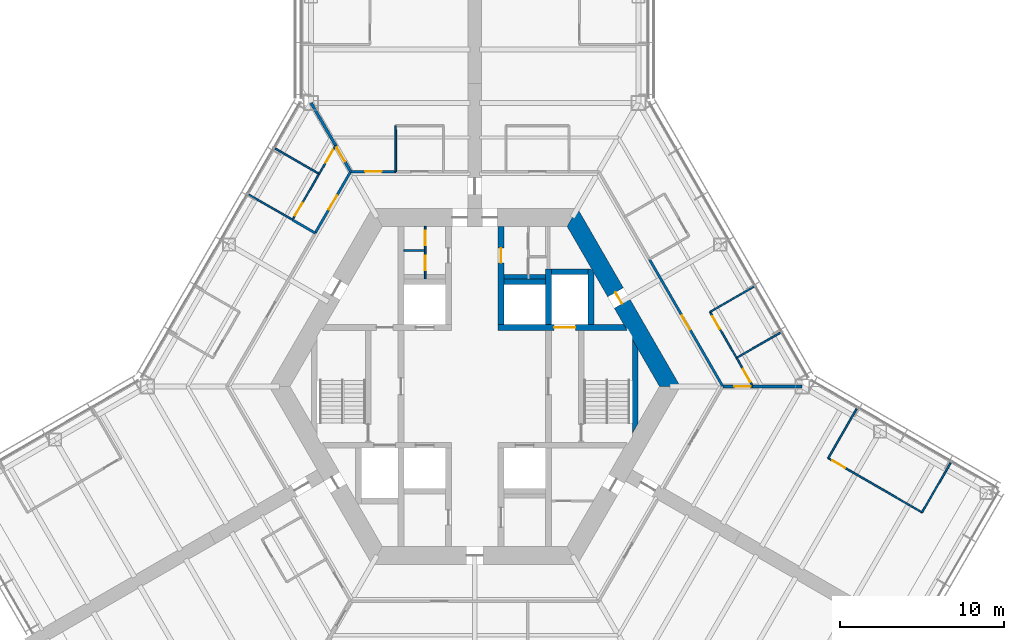
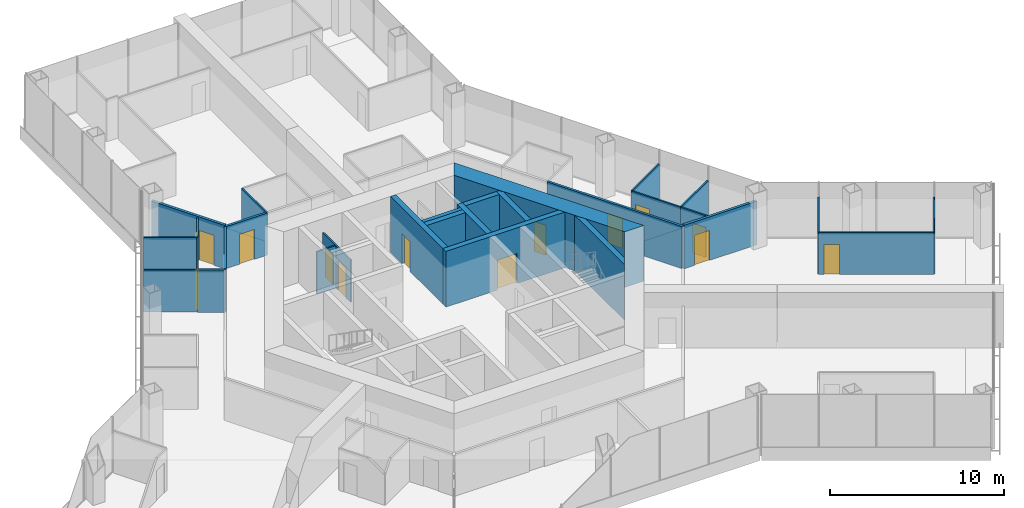
# One storey, part 14 of 18: 29 walls, 15 doors, 15 openings.
"""IFC4 building model written with IfcOpenShell, lengths in metres."""

from ifc_helpers import new_model, si_unit, direction, frame, frame_2d, origin, place, context, subcontext, project, spatial, polyline, rectangle, outline, extrude, material, layer, layer_set, type_object, element, fill, save


model = new_model("IFC4")

# Units and contexts
model_context = context("Model", 3, precision=1e-05, world=origin(), true_north=direction((0.0, 1.0)))
body_context = subcontext(model_context, "Body", "Model", "MODEL_VIEW")
ifc_project = project(units=[si_unit("LENGTHUNIT", "METRE"), si_unit("AREAUNIT", "SQUARE_METRE"), si_unit("VOLUMEUNIT", "CUBIC_METRE"), si_unit("PLANEANGLEUNIT", "RADIAN"), si_unit("MASSUNIT", "GRAM", prefix="KILO")], contexts=[model_context])

# Site, building, storey
site_placement = place(None, origin())
site = spatial("IfcSite", under=ifc_project, at=site_placement, CompositionType="ELEMENT")
building_placement = place(site_placement, origin())
building = spatial("IfcBuilding", under=site, at=building_placement, Name="Kasaneha Research Tower", CompositionType="ELEMENT")
storey_placement = place(building_placement, frame((0.0, 0.0, 65.10009765625)))
storey = spatial("IfcBuildingStorey", under=building, at=storey_placement, Name="L16", CompositionType="ELEMENT", Elevation=65.10009765625)

# Wall, opening, door
ifc_material_1 = material(Name="Concrete Fc80", Category="concrete")
ifc_layer_1 = layer(ifc_material_1, 0.35009765625)
ifc_layer_set_1 = layer_set([ifc_layer_1], Name="Core internal wall 350 Fc80")
wall_type_1 = type_object("IfcWallType", Name="Core internal wall 350 Fc80", PredefinedType="SHEAR", material=ifc_layer_set_1)
wall_1_placement = place(storey_placement, frame((1.425048828125, 3.60009765625, 0.0), z_axis=(0.0, 0.0, 1.0), x_axis=(1.0, 0.0, 0.0)))
wall_1 = element("IfcWall", 1, at=wall_1_placement, inside=storey, type_object=wall_type_1, Name="Core wall W1E L16", PredefinedType="SHEAR", context=body_context, shape_type="SweptSolid", body=[
    extrude(outline(polyline([(0.0, -0.175048828125), (3.425048828125, -0.175048828125), (4.72509765625, -0.175048828125), (7.884765625, -0.175048828125), (7.6826171875, 0.175048828125), (4.72509765625, 0.175048828125), (3.425048828125, 0.175048828125), (0.0, 0.175048828125), (0.0, -0.175048828125)])), origin(), (0.0, 0.0, 1.0), 3.89990234375),
])
opening_1_placement = place(wall_1_placement, frame((3.425048828125, 0.0, 0.0)))
opening_1 = element("IfcOpeningElement", 2, at=opening_1_placement, cuts=wall_1, Name="Opening LD-FL1-L16", PredefinedType="OPENING", context=body_context, shape_type="SweptSolid", body=[
    extrude(rectangle(XDim=1.300048828125, YDim=2.10009765625, at=frame_2d((0.64990234375, 1.050048828125))), frame((0.0, 0.18505859375, 0.0), z_axis=(0.0, -1.0, 0.0), x_axis=(1.0, 0.0, 0.0)), (0.0, 0.0, 1.0), 0.3701171875),
])
ifc_material_2 = material(Name="Steel", Category="steel")
door_type_1 = type_object("IfcDoorType", Name="Lift landing door 1300x2100", OperationType="DOUBLE_DOOR_SLIDING", PredefinedType="DOOR", material=ifc_material_2)
door_1_placement = place(opening_1_placement, origin())
door_1 = element("IfcDoor", 3, at=door_1_placement, inside=storey, type_object=door_type_1, Name="Landing door FL1 LD-FL1-L16", OperationType="DOUBLE_DOOR_SLIDING", OverallHeight=2.10009765625, OverallWidth=1.300048828125, PredefinedType="DOOR", context=body_context, shape_type="SweptSolid", body=[
    extrude(rectangle(XDim=1.300048828125, YDim=2.10009765625, at=frame_2d((0.64990234375, 1.050048828125))), frame((0.0, 0.02490234375, 0.0), z_axis=(0.0, -1.0, 0.0), x_axis=(1.0, 0.0, 0.0)), (0.0, 0.0, 1.0), 0.050048828125),
])
fill(opening_1, door_1)

wall_2_placement = place(storey_placement, frame((1.60009765625, 3.77490234375, 0.0), z_axis=(0.0, 0.0, 1.0), x_axis=(0.0, 1.0, 0.0)))
wall_2 = element("IfcWall", 4, at=wall_2_placement, inside=storey, type_object=wall_type_1, Name="Core wall CNE L16", PredefinedType="SHEAR", context=body_context, shape_type="SweptSolid", body=[
    extrude(rectangle(XDim=6.0, YDim=0.35009765625, at=frame_2d((3.0, 0.0))), origin(), (0.0, 0.0, 1.0), 3.89990234375),
])
opening_2_placement = place(wall_2_placement, frame((3.77490234375, 0.0, 0.0)))
opening_2 = element("IfcOpeningElement", 5, at=opening_2_placement, cuts=wall_2, Name="Opening L16-D14", PredefinedType="OPENING", context=body_context, shape_type="SweptSolid", body=[
    extrude(rectangle(XDim=0.89990234375, YDim=2.10009765625, at=frame_2d((0.449951171875, 1.050048828125))), frame((0.0, 0.18505859375, 0.0), z_axis=(0.0, -1.0, 0.0), x_axis=(1.0, 0.0, 0.0)), (0.0, 0.0, 1.0), 0.3701171875),
])
ifc_material_3 = material(Name="Steel", Category="steel")
door_type_2 = type_object("IfcDoorType", Name="Toilet door FD20 900x2100", OperationType="NOTDEFINED", PredefinedType="DOOR", material=ifc_material_3)
door_2_placement = place(opening_2_placement, origin())
door_2 = element("IfcDoor", 6, at=door_2_placement, inside=storey, type_object=door_type_2, Name="Women's WC door L16-D14", OperationType="SINGLE_SWING_LEFT", OverallHeight=2.10009765625, OverallWidth=0.89990234375, PredefinedType="DOOR", context=body_context, shape_type="SweptSolid", body=[
    extrude(rectangle(XDim=0.89990234375, YDim=2.10009765625, at=frame_2d((0.449951171875, 1.050048828125))), frame((0.0, 0.02490234375, 0.0), z_axis=(0.0, -1.0, 0.0), x_axis=(1.0, 0.0, 0.0)), (0.0, 0.0, 1.0), 0.050048828125),
])
fill(opening_2, door_2)

# Walls
wall_3_placement = place(storey_placement, frame((4.5, 3.77490234375, 0.0), z_axis=(0.0, 0.0, 1.0), x_axis=(0.0, 1.0, 0.0)))
element("IfcWall", 7, at=wall_3_placement, inside=storey, type_object=wall_type_1, Name="Core wall FNE L16", PredefinedType="SHEAR", context=body_context, shape_type="SweptSolid", body=[
    extrude(rectangle(XDim=3.400146484375, YDim=0.35009765625, at=frame_2d((1.7001953125, 0.0))), origin(), (0.0, 0.0, 1.0), 3.89990234375),
])
wall_4_placement = place(storey_placement, frame((1.77490234375, 6.39990234375, 0.0), z_axis=(0.0, 0.0, 1.0), x_axis=(1.0, 0.0, 0.0)))
element("IfcWall", 8, at=wall_4_placement, inside=storey, type_object=wall_type_1, Name="Core wall N3N L16", PredefinedType="SHEAR", context=body_context, shape_type="SweptSolid", body=[
    extrude(rectangle(XDim=2.550048828125, YDim=0.35009765625, at=frame_2d((1.27490234375, 0.0))), origin(), (0.0, 0.0, 1.0), 3.89990234375),
])
wall_5_placement = place(storey_placement, frame((4.675048828125, 7.0, 0.0), z_axis=(0.0, 0.0, 1.0), x_axis=(1.0, 0.0, 0.0)))
element("IfcWall", 9, at=wall_5_placement, inside=storey, type_object=wall_type_1, Name="Core wall F1N L16", PredefinedType="SHEAR", context=body_context, shape_type="SweptSolid", body=[
    extrude(rectangle(XDim=2.25, YDim=0.35009765625, at=frame_2d((1.125, 0.0))), origin(), (0.0, 0.0, 1.0), 3.89990234375),
])
wall_6_placement = place(storey_placement, frame((7.10009765625, 3.77490234375, 0.0), z_axis=(0.0, 0.0, 1.0), x_axis=(0.0, 1.0, 0.0)))
element("IfcWall", 10, at=wall_6_placement, inside=storey, type_object=wall_type_1, Name="Core wall F1E L16", PredefinedType="SHEAR", context=body_context, shape_type="SweptSolid", body=[
    extrude(outline(polyline([(0.0, -0.175048828125), (3.174560546875, -0.175048828125), (3.400146484375, 0.0), (3.400146484375, 0.175048828125), (0.0, 0.175048828125), (0.0, -0.175048828125)])), origin(), (0.0, 0.0, 1.0), 3.89990234375),
])
wall_7_placement = place(storey_placement, frame((9.807861328125, -2.562255859375, 0.0), z_axis=(0.0, 0.0, 1.0), x_axis=(0.0, 1.0, 0.0)))
element("IfcWall", 11, at=wall_7_placement, inside=storey, type_object=wall_type_1, Name="Core wall STE L16", PredefinedType="SHEAR", context=body_context, shape_type="SweptSolid", body=[
    extrude(outline(polyline([(0.30322265625, -0.175048828125), (4.8212890625, -0.175048828125), (5.427734375, 0.175048828125), (-0.30322265625, 0.175048828125), (0.30322265625, -0.175048828125)])), origin(), (0.0, 0.0, 1.0), 3.89990234375),
])

# Wall, opening, door
ifc_material_4 = material(Name="Concrete Fc80", Category="concrete")
ifc_layer_2 = layer(ifc_material_4, 1.10009765625)
ifc_layer_set_2 = layer_set([ifc_layer_2], Name="Core wall 1100 Fc80")
wall_type_2 = type_object("IfcWallType", Name="Core wall 1100 Fc80", PredefinedType="SHEAR", material=ifc_layer_set_2)
wall_8_placement = place(storey_placement, frame((11.92236328125, 0.0, 0.0), z_axis=(0.0, 0.0, 1.0), x_axis=(-0.500004296715, 0.866022923061, 0.0)))
wall_8 = element("IfcWall", 12, at=wall_8_placement, inside=storey, type_object=wall_type_2, Name="Core wall 030 L16", PredefinedType="SHEAR", context=body_context, shape_type="SweptSolid", body=[
    extrude(outline(polyline([(-0.317626953125, -0.550048828125), (5.83544921875, -0.550048828125), (6.635498046875, -0.550048828125), (12.239990234375, -0.550048828125), (11.604736328125, 0.550048828125), (6.635498046875, 0.550048828125), (5.83544921875, 0.550048828125), (0.317626953125, 0.550048828125), (-0.317626953125, -0.550048828125)])), origin(), (0.0, 0.0, 1.0), 3.89990234375),
])
opening_3_placement = place(wall_8_placement, frame((5.83544921875, 0.0, 0.0)))
opening_3 = element("IfcOpeningElement", 13, at=opening_3_placement, cuts=wall_8, Name="Opening L16-D04", PredefinedType="OPENING", context=body_context, shape_type="SweptSolid", body=[
    extrude(rectangle(XDim=0.800048828125, YDim=2.10009765625, at=frame_2d((0.39990234375, 1.050048828125))), frame((0.0, 0.56005859375, 0.0), z_axis=(0.0, -1.0, 0.0), x_axis=(1.0, 0.0, 0.0)), (0.0, 0.0, 1.0), 1.1201171875),
])
ifc_material_5 = material(Name="Steel", Category="steel")
door_type_3 = type_object("IfcDoorType", Name="Riser access door FD60 800x2100", OperationType="NOTDEFINED", PredefinedType="DOOR", material=ifc_material_5)
door_3_placement = place(opening_3_placement, origin())
door_3 = element("IfcDoor", 14, at=door_3_placement, inside=storey, type_object=door_type_3, Name="Pipe riser door L16-D04", OperationType="SINGLE_SWING_RIGHT", OverallHeight=2.10009765625, OverallWidth=0.800048828125, PredefinedType="DOOR", context=body_context, shape_type="SweptSolid", body=[
    extrude(rectangle(XDim=0.800048828125, YDim=2.10009765625, at=frame_2d((0.39990234375, 1.050048828125))), frame((0.0, 0.02490234375, 0.0), z_axis=(0.0, -1.0, 0.0), x_axis=(1.0, 0.0, 0.0)), (0.0, 0.0, 1.0), 0.050048828125),
])
fill(opening_3, door_3)

# Wall, openings, doors
ifc_material_6 = material(Name="Gypsum board on steel studs, one layer each side", Category="steel")
ifc_layer_3 = layer(ifc_material_6, 0.10009765625)
ifc_layer_set_3 = layer_set([ifc_layer_3], Name="Office partition 100")
wall_type_3 = type_object("IfcWallType", Name="Office partition 100", PredefinedType="PARTITIONING", material=ifc_layer_set_3)
wall_9_placement = place(storey_placement, frame((-3.02490234375, 6.574951171875, 0.0), z_axis=(0.0, 0.0, 1.0), x_axis=(0.0, 1.0, 0.0)))
wall_9 = element("IfcWall", 15, at=wall_9_placement, inside=storey, type_object=wall_type_3, Name="Office partition TBM1 L16", PredefinedType="PARTITIONING", context=body_context, shape_type="SweptSolid", body=[
    extrude(rectangle(XDim=3.199951171875, YDim=0.10009765625, at=frame_2d((1.60009765625, 0.0))), origin(), (0.0, 0.0, 1.0), 2.949951171875),
])
opening_4_placement = place(wall_9_placement, frame((2.0400390625, 0.0, 0.0)))
opening_4 = element("IfcOpeningElement", 16, at=opening_4_placement, cuts=wall_9, Name="Opening L16-D20", PredefinedType="OPENING", context=body_context, shape_type="SweptSolid", body=[
    extrude(rectangle(XDim=0.89990234375, YDim=2.10009765625, at=frame_2d((0.449951171875, 1.050048828125))), frame((0.0, 0.06005859375, 0.0), z_axis=(0.0, -1.0, 0.0), x_axis=(1.0, 0.0, 0.0)), (0.0, 0.0, 1.0), 0.1201171875),
])
opening_5_placement = place(wall_9_placement, frame((0.514892578125, 0.0, 0.0)))
opening_5 = element("IfcOpeningElement", 17, at=opening_5_placement, cuts=wall_9, Name="Opening L16-D21", PredefinedType="OPENING", context=body_context, shape_type="SweptSolid", body=[
    extrude(rectangle(XDim=0.89990234375, YDim=2.10009765625, at=frame_2d((0.449951171875, 1.050048828125))), frame((0.0, 0.06005859375, 0.0), z_axis=(0.0, -1.0, 0.0), x_axis=(1.0, 0.0, 0.0)), (0.0, 0.0, 1.0), 0.1201171875),
])
ifc_material_7 = material(Name="Steel", Category="steel")
door_type_4 = type_object("IfcDoorType", Name="Toilet lobby door FD30 900x2100", OperationType="NOTDEFINED", PredefinedType="DOOR", material=ifc_material_7)
door_4_placement = place(opening_4_placement, origin())
door_4 = element("IfcDoor", 18, at=door_4_placement, inside=storey, type_object=door_type_4, Name="Men's WC door L16-D20", OperationType="SINGLE_SWING_RIGHT", OverallHeight=2.10009765625, OverallWidth=0.89990234375, PredefinedType="DOOR", context=body_context, shape_type="SweptSolid", body=[
    extrude(rectangle(XDim=0.89990234375, YDim=2.10009765625, at=frame_2d((0.449951171875, 1.050048828125))), frame((0.0, 0.02490234375, 0.0), z_axis=(0.0, -1.0, 0.0), x_axis=(1.0, 0.0, 0.0)), (0.0, 0.0, 1.0), 0.050048828125),
])
fill(opening_4, door_4)
door_5_placement = place(opening_5_placement, origin())
door_5 = element("IfcDoor", 19, at=door_5_placement, inside=storey, type_object=door_type_4, Name="Shower room door L16-D21", OperationType="SINGLE_SWING_RIGHT", OverallHeight=2.10009765625, OverallWidth=0.89990234375, PredefinedType="DOOR", context=body_context, shape_type="SweptSolid", body=[
    extrude(rectangle(XDim=0.89990234375, YDim=2.10009765625, at=frame_2d((0.449951171875, 1.050048828125))), frame((0.0, 0.02490234375, 0.0), z_axis=(0.0, -1.0, 0.0), x_axis=(1.0, 0.0, 0.0)), (0.0, 0.0, 1.0), 0.050048828125),
])
fill(opening_5, door_5)

# Walls
wall_10_placement = place(storey_placement, frame((-3.074951171875, 8.304931640625, 0.0), z_axis=(0.0, 0.0, 1.0), x_axis=(-1.0, 0.0, 0.0)))
element("IfcWall", 20, at=wall_10_placement, inside=storey, type_object=wall_type_3, Name="Office partition TBM2 L16", PredefinedType="PARTITIONING", context=body_context, shape_type="SweptSolid", body=[
    extrude(rectangle(XDim=1.25, YDim=0.10009765625, at=frame_2d((0.625, 0.0))), origin(), (0.0, 0.0, 1.0), 2.949951171875),
])
wall_11_placement = place(storey_placement, frame((18.662109375, 3.27734375, 0.0), z_axis=(0.0, 0.0, 1.0), x_axis=(-0.866844641549, -0.498578346319, 0.0)))
element("IfcWall", 21, at=wall_11_placement, inside=storey, type_object=wall_type_3, Name="Office partition FAE18 L16", PredefinedType="PARTITIONING", context=body_context, shape_type="SweptSolid", body=[
    extrude(rectangle(XDim=3.080078125, YDim=0.10009765625, at=frame_2d((1.5400390625, 0.0))), origin(), (0.0, 0.0, 1.0), 2.949951171875),
])
wall_12_placement = place(storey_placement, frame((14.37158203125, 4.548828125, 0.0), z_axis=(0.0, 0.0, 1.0), x_axis=(0.86600983753, 0.500026960575, 0.0)))
element("IfcWall", 22, at=wall_12_placement, inside=storey, type_object=wall_type_3, Name="Office partition FAE19 L16", PredefinedType="PARTITIONING", context=body_context, shape_type="SweptSolid", body=[
    extrude(rectangle(XDim=3.099853515625, YDim=0.10009765625, at=frame_2d((1.5498046875, 0.0))), origin(), (0.0, 0.0, 1.0), 2.949951171875),
])

# Wall, opening, door
wall_13_placement = place(storey_placement, frame((15.998779296875, 1.73974609375, 0.0), z_axis=(0.0, 0.0, 1.0), x_axis=(-0.501240807694, 0.865307836959, 0.0)))
wall_13 = element("IfcWall", 23, at=wall_13_placement, inside=storey, type_object=wall_type_3, Name="Office partition FAE20 L16", PredefinedType="PARTITIONING", context=body_context, shape_type="SweptSolid", body=[
    extrude(rectangle(XDim=3.246337890625, YDim=0.10009765625, at=frame_2d((1.623046875, 0.0))), origin(), (0.0, 0.0, 1.0), 2.949951171875),
])
opening_6_placement = place(wall_13_placement, frame((2.04638671875, 0.0, 0.0)))
opening_6 = element("IfcOpeningElement", 24, at=opening_6_placement, cuts=wall_13, Name="Opening L16-D33", PredefinedType="OPENING", context=body_context, shape_type="SweptSolid", body=[
    extrude(rectangle(XDim=0.89990234375, YDim=2.10009765625, at=frame_2d((0.449951171875, 1.050048828125))), frame((0.0, 0.06005859375, 0.0), z_axis=(0.0, -1.0, 0.0), x_axis=(1.0, 0.0, 0.0)), (0.0, 0.0, 1.0), 0.1201171875),
])
ifc_material_8 = material(Name="Timber veneer", Category="wood")
door_type_5 = type_object("IfcDoorType", Name="Office door 900x2100", OperationType="SINGLE_SWING_LEFT", PredefinedType="DOOR", material=ifc_material_8)
door_6_placement = place(opening_6_placement, origin())
door_6 = element("IfcDoor", 25, at=door_6_placement, inside=storey, type_object=door_type_5, Name="Workroom door L16-D33", OperationType="SINGLE_SWING_RIGHT", OverallHeight=2.10009765625, OverallWidth=0.89990234375, PredefinedType="DOOR", context=body_context, shape_type="SweptSolid", body=[
    extrude(rectangle(XDim=0.89990234375, YDim=2.10009765625, at=frame_2d((0.449951171875, 1.050048828125))), frame((0.0, 0.02490234375, 0.0), z_axis=(0.0, -1.0, 0.0), x_axis=(1.0, 0.0, 0.0)), (0.0, 0.0, 1.0), 0.050048828125),
])
fill(opening_6, door_6)

wall_14_placement = place(storey_placement, frame((16.986083984375, 0.02001953125, 0.0), z_axis=(0.0, 0.0, 1.0), x_axis=(-0.497888096254, 0.867241283386, 0.0)))
wall_14 = element("IfcWall", 26, at=wall_14_placement, inside=storey, type_object=wall_type_3, Name="Office partition FAE21 L16", PredefinedType="PARTITIONING", context=body_context, shape_type="SweptSolid", body=[
    extrude(rectangle(XDim=1.98291015625, YDim=0.10009765625, at=frame_2d((0.991455078125, 0.0))), origin(), (0.0, 0.0, 1.0), 2.949951171875),
])
opening_7_placement = place(wall_14_placement, frame((0.300048828125, 0.0, 0.0)))
opening_7 = element("IfcOpeningElement", 27, at=opening_7_placement, cuts=wall_14, Name="Opening L16-D34", PredefinedType="OPENING", context=body_context, shape_type="SweptSolid", body=[
    extrude(rectangle(XDim=0.89990234375, YDim=2.10009765625, at=frame_2d((0.449951171875, 1.050048828125))), frame((0.0, 0.06005859375, 0.0), z_axis=(0.0, -1.0, 0.0), x_axis=(1.0, 0.0, 0.0)), (0.0, 0.0, 1.0), 0.1201171875),
])
door_7_placement = place(opening_7_placement, origin())
door_7 = element("IfcDoor", 28, at=door_7_placement, inside=storey, type_object=door_type_5, Name="Phone room door L16-D34", OperationType="SINGLE_SWING_LEFT", OverallHeight=2.10009765625, OverallWidth=0.89990234375, PredefinedType="DOOR", context=body_context, shape_type="SweptSolid", body=[
    extrude(rectangle(XDim=0.89990234375, YDim=2.10009765625, at=frame_2d((0.449951171875, 1.050048828125))), frame((0.0, 0.02490234375, 0.0), z_axis=(0.0, -1.0, 0.0), x_axis=(1.0, 0.0, 0.0)), (0.0, 0.0, 1.0), 0.050048828125),
])
fill(opening_7, door_7)

# Walls
wall_15_placement = place(storey_placement, frame((-4.824462890625, 13.125, 0.0), z_axis=(0.0, 0.0, 1.0), x_axis=(-0.001656637364, 0.999998627775, 0.0)))
element("IfcWall", 29, at=wall_15_placement, inside=storey, type_object=wall_type_3, Name="Office partition FAW05 L16", PredefinedType="PARTITIONING", context=body_context, shape_type="SweptSolid", body=[
    extrude(rectangle(XDim=2.800048828125, YDim=0.10009765625, at=frame_2d((1.39990234375, 0.0))), origin(), (0.0, 0.0, 1.0), 2.949951171875),
])
wall_16_placement = place(storey_placement, frame((-12.1865234375, 14.533203125, 0.0), z_axis=(0.0, 0.0, 1.0), x_axis=(0.865232104039, -0.50137152506, 0.0)))
element("IfcWall", 30, at=wall_16_placement, inside=storey, type_object=wall_type_3, Name="Office partition FBN07 L16", PredefinedType="PARTITIONING", context=body_context, shape_type="SweptSolid", body=[
    extrude(rectangle(XDim=3.099853515625, YDim=0.10009765625, at=frame_2d((1.5498046875, 0.0))), origin(), (0.0, 0.0, 1.0), 2.949951171875),
])
wall_17_placement = place(storey_placement, frame((-11.122802734375, 10.17578125, 0.0), z_axis=(0.0, 0.0, 1.0), x_axis=(-0.866790673474, 0.498672165233, 0.0)))
element("IfcWall", 31, at=wall_17_placement, inside=storey, type_object=wall_type_3, Name="Office partition FBN08 L16", PredefinedType="PARTITIONING", context=body_context, shape_type="SweptSolid", body=[
    extrude(rectangle(XDim=3.080078125, YDim=0.10009765625, at=frame_2d((1.5400390625, 0.0))), origin(), (0.0, 0.0, 1.0), 2.949951171875),
])

# Wall, opening, door
wall_18_placement = place(storey_placement, frame((-9.505859375, 12.985595703125, 0.0), z_axis=(0.0, 0.0, 1.0), x_axis=(-0.499956811548, -0.866050337213, 0.0)))
wall_18 = element("IfcWall", 32, at=wall_18_placement, inside=storey, type_object=wall_type_3, Name="Office partition FBN09 L16", PredefinedType="PARTITIONING", context=body_context, shape_type="SweptSolid", body=[
    extrude(rectangle(XDim=3.246337890625, YDim=0.10009765625, at=frame_2d((1.623046875, 0.0))), origin(), (0.0, 0.0, 1.0), 2.949951171875),
])
opening_8_placement = place(wall_18_placement, frame((2.04638671875, 0.0, 0.0)))
opening_8 = element("IfcOpeningElement", 33, at=opening_8_placement, cuts=wall_18, Name="Opening L16-D42", PredefinedType="OPENING", context=body_context, shape_type="SweptSolid", body=[
    extrude(rectangle(XDim=0.89990234375, YDim=2.10009765625, at=frame_2d((0.449951171875, 1.050048828125))), frame((0.0, 0.06005859375, 0.0), z_axis=(0.0, -1.0, 0.0), x_axis=(1.0, 0.0, 0.0)), (0.0, 0.0, 1.0), 0.1201171875),
])
door_8_placement = place(opening_8_placement, origin())
door_8 = element("IfcDoor", 34, at=door_8_placement, inside=storey, type_object=door_type_5, Name="Project room door L16-D42", OperationType="SINGLE_SWING_RIGHT", OverallHeight=2.10009765625, OverallWidth=0.89990234375, PredefinedType="DOOR", context=body_context, shape_type="SweptSolid", body=[
    extrude(rectangle(XDim=0.89990234375, YDim=2.10009765625, at=frame_2d((0.449951171875, 1.050048828125))), frame((0.0, 0.02490234375, 0.0), z_axis=(0.0, -1.0, 0.0), x_axis=(1.0, 0.0, 0.0)), (0.0, 0.0, 1.0), 0.050048828125),
])
fill(opening_8, door_8)

wall_19_placement = place(storey_placement, frame((-8.510498046875, 14.700439453125, 0.0), z_axis=(0.0, 0.0, 1.0), x_axis=(-0.502001840855, -0.864866551427, 0.0)))
wall_19 = element("IfcWall", 35, at=wall_19_placement, inside=storey, type_object=wall_type_3, Name="Office partition FBN13 L16", PredefinedType="PARTITIONING", context=body_context, shape_type="SweptSolid", body=[
    extrude(rectangle(XDim=1.982666015625, YDim=0.10009765625, at=frame_2d((0.9912109375, 0.0))), origin(), (0.0, 0.0, 1.0), 2.949951171875),
])
opening_9_placement = place(wall_19_placement, frame((0.300048828125, 0.0, 0.0)))
opening_9 = element("IfcOpeningElement", 36, at=opening_9_placement, cuts=wall_19, Name="Opening L16-D44", PredefinedType="OPENING", context=body_context, shape_type="SweptSolid", body=[
    extrude(rectangle(XDim=0.89990234375, YDim=2.10009765625, at=frame_2d((0.449951171875, 1.050048828125))), frame((0.0, 0.06005859375, 0.0), z_axis=(0.0, -1.0, 0.0), x_axis=(1.0, 0.0, 0.0)), (0.0, 0.0, 1.0), 0.1201171875),
])
door_9_placement = place(opening_9_placement, origin())
door_9 = element("IfcDoor", 37, at=door_9_placement, inside=storey, type_object=door_type_5, Name="Phone room door L16-D44", OperationType="SINGLE_SWING_LEFT", OverallHeight=2.10009765625, OverallWidth=0.89990234375, PredefinedType="DOOR", context=body_context, shape_type="SweptSolid", body=[
    extrude(rectangle(XDim=0.89990234375, YDim=2.10009765625, at=frame_2d((0.449951171875, 1.050048828125))), frame((0.0, 0.02490234375, 0.0), z_axis=(0.0, -1.0, 0.0), x_axis=(1.0, 0.0, 0.0)), (0.0, 0.0, 1.0), 0.050048828125),
])
fill(opening_9, door_9)

# Wall
wall_20_placement = place(storey_placement, frame((21.59228515625, -4.38330078125, 0.0), z_axis=(0.0, 0.0, 1.0), x_axis=(0.500009906705, 0.86601968407, 0.0)))
element("IfcWall", 38, at=wall_20_placement, inside=storey, type_object=wall_type_3, Name="Office partition FCE02 L16", PredefinedType="PARTITIONING", context=body_context, shape_type="SweptSolid", body=[
    extrude(rectangle(XDim=3.47998046875, YDim=0.10009765625, at=frame_2d((1.739990234375, 0.0))), origin(), (0.0, 0.0, 1.0), 2.949951171875),
])

# Wall, opening, door
wall_21_placement = place(storey_placement, frame((27.324951171875, -7.693115234375, 0.0), z_axis=(0.0, 0.0, 1.0), x_axis=(-0.866021597574, 0.500006592492, 0.0)))
wall_21 = element("IfcWall", 39, at=wall_21_placement, inside=storey, type_object=wall_type_3, Name="Office partition FCE03 L16", PredefinedType="PARTITIONING", context=body_context, shape_type="SweptSolid", body=[
    extrude(rectangle(XDim=6.61962890625, YDim=0.10009765625, at=frame_2d((3.309814453125, 0.0))), origin(), (0.0, 0.0, 1.0), 2.949951171875),
])
opening_10_placement = place(wall_21_placement, frame((5.419677734375, 0.0, 0.0)))
opening_10 = element("IfcOpeningElement", 40, at=opening_10_placement, cuts=wall_21, Name="Opening L16-D49", PredefinedType="OPENING", context=body_context, shape_type="SweptSolid", body=[
    extrude(rectangle(XDim=0.89990234375, YDim=2.10009765625, at=frame_2d((0.449951171875, 1.050048828125))), frame((0.0, 0.06005859375, 0.0), z_axis=(0.0, -1.0, 0.0), x_axis=(1.0, 0.0, 0.0)), (0.0, 0.0, 1.0), 0.1201171875),
])
door_10_placement = place(opening_10_placement, origin())
door_10 = element("IfcDoor", 41, at=door_10_placement, inside=storey, type_object=door_type_5, Name="Meeting room door L16-D49", OperationType="SINGLE_SWING_RIGHT", OverallHeight=2.10009765625, OverallWidth=0.89990234375, PredefinedType="DOOR", context=body_context, shape_type="SweptSolid", body=[
    extrude(rectangle(XDim=0.89990234375, YDim=2.10009765625, at=frame_2d((0.449951171875, 1.050048828125))), frame((0.0, 0.02490234375, 0.0), z_axis=(0.0, -1.0, 0.0), x_axis=(1.0, 0.0, 0.0)), (0.0, 0.0, 1.0), 0.050048828125),
])
fill(opening_10, door_10)

# Wall
wall_22_placement = place(storey_placement, frame((29.074951171875, -4.662109375, 0.0), z_axis=(0.0, 0.0, 1.0), x_axis=(-0.500010275428, -0.866019471182, 0.0)))
element("IfcWall", 42, at=wall_22_placement, inside=storey, type_object=wall_type_3, Name="Office partition FCE04 L16", PredefinedType="PARTITIONING", context=body_context, shape_type="SweptSolid", body=[
    extrude(rectangle(XDim=3.5, YDim=0.10009765625, at=frame_2d((1.75, 0.0))), origin(), (0.0, 0.0, 1.0), 2.949951171875),
])

# Wall, opening, door
ifc_material_9 = material(Name="Gypsum board on steel studs, two layers each side", Category="steel")
ifc_layer_4 = layer(ifc_material_9, 0.14990234375)
ifc_layer_set_4 = layer_set([ifc_layer_4], Name="Suite partition 150")
wall_type_4 = type_object("IfcWallType", Name="Suite partition 150", PredefinedType="PARTITIONING", material=ifc_layer_set_4)
wall_23_placement = place(storey_placement, frame((10.664306640625, 7.77880859375, 0.0), z_axis=(0.0, 0.0, 1.0), x_axis=(0.49999608499, -0.866027664105, 0.0)))
wall_23 = element("IfcWall", 43, at=wall_23_placement, inside=storey, type_object=wall_type_4, Name="Suite partition FAE06 L16", PredefinedType="PARTITIONING", context=body_context, shape_type="SweptSolid", body=[
    extrude(rectangle(XDim=8.958984375, YDim=0.14990234375, at=frame_2d((4.4794921875, 0.0))), origin(), (0.0, 0.0, 1.0), 2.949951171875),
])
opening_11_placement = place(wall_23_placement, frame((3.9794921875, 0.0, 0.0)))
opening_11 = element("IfcOpeningElement", 44, at=opening_11_placement, cuts=wall_23, Name="Opening L16-D29", PredefinedType="OPENING", context=body_context, shape_type="SweptSolid", body=[
    extrude(rectangle(XDim=1.0, YDim=2.10009765625, at=frame_2d((0.5, 1.050048828125))), frame((0.0, 0.0849609375, 0.0), z_axis=(0.0, -1.0, 0.0), x_axis=(1.0, 0.0, 0.0)), (0.0, 0.0, 1.0), 0.169921875),
])
ifc_material_10 = material(Name="Steel", Category="steel")
door_type_6 = type_object("IfcDoorType", Name="Suite entrance door FD60 1000x2100", OperationType="NOTDEFINED", PredefinedType="DOOR", material=ifc_material_10)
door_11_placement = place(opening_11_placement, origin())
door_11 = element("IfcDoor", 45, at=door_11_placement, inside=storey, type_object=door_type_6, Name="Suite entrance door L16-D29", OperationType="SINGLE_SWING_RIGHT", OverallHeight=2.10009765625, OverallWidth=1.0, PredefinedType="DOOR", context=body_context, shape_type="SweptSolid", body=[
    extrude(rectangle(XDim=1.0, YDim=2.10009765625, at=frame_2d((0.5, 1.050048828125))), frame((0.0, 0.02490234375, 0.0), z_axis=(0.0, -1.0, 0.0), x_axis=(1.0, 0.0, 0.0)), (0.0, 0.0, 1.0), 0.050048828125),
])
fill(opening_11, door_11)

wall_24_placement = place(storey_placement, frame((-7.5546875, 13.125, 0.0), z_axis=(0.0, 0.0, 1.0), x_axis=(1.0, 0.0, 0.0)))
wall_24 = element("IfcWall", 46, at=wall_24_placement, inside=storey, type_object=wall_type_4, Name="Suite partition FAW02 L16", PredefinedType="PARTITIONING", context=body_context, shape_type="SweptSolid", body=[
    extrude(rectangle(XDim=2.730224609375, YDim=0.14990234375, at=frame_2d((1.365234375, 0.0))), origin(), (0.0, 0.0, 1.0), 2.949951171875),
])
opening_12_placement = place(wall_24_placement, frame((0.864990234375, 0.0, 0.0)))
opening_12 = element("IfcOpeningElement", 47, at=opening_12_placement, cuts=wall_24, Name="Opening L16-D36", PredefinedType="OPENING", context=body_context, shape_type="SweptSolid", body=[
    extrude(rectangle(XDim=1.0, YDim=2.10009765625, at=frame_2d((0.5, 1.050048828125))), frame((0.0, 0.0849609375, 0.0), z_axis=(0.0, -1.0, 0.0), x_axis=(1.0, 0.0, 0.0)), (0.0, 0.0, 1.0), 0.169921875),
])
door_12_placement = place(opening_12_placement, origin())
door_12 = element("IfcDoor", 48, at=door_12_placement, inside=storey, type_object=door_type_6, Name="Suite entrance door L16-D36", OperationType="SINGLE_SWING_RIGHT", OverallHeight=2.10009765625, OverallWidth=1.0, PredefinedType="DOOR", context=body_context, shape_type="SweptSolid", body=[
    extrude(rectangle(XDim=1.0, YDim=2.10009765625, at=frame_2d((0.5, 1.050048828125))), frame((0.0, 0.02490234375, 0.0), z_axis=(0.0, -1.0, 0.0), x_axis=(1.0, 0.0, 0.0)), (0.0, 0.0, 1.0), 0.050048828125),
])
fill(opening_12, door_12)

wall_25_placement = place(storey_placement, frame((-9.745849609375, 9.36962890625, 0.0), z_axis=(0.0, 0.0, 1.0), x_axis=(0.499980509014, 0.866036656618, 0.0)))
wall_25 = element("IfcWall", 49, at=wall_25_placement, inside=storey, type_object=wall_type_4, Name="Suite partition FBN03 L16", PredefinedType="PARTITIONING", context=body_context, shape_type="SweptSolid", body=[
    extrude(rectangle(XDim=4.313232421875, YDim=0.14990234375, at=frame_2d((2.15673828125, 0.0))), origin(), (0.0, 0.0, 1.0), 2.949951171875),
])
opening_13_placement = place(wall_25_placement, frame((1.65673828125, 0.0, 0.0)))
opening_13 = element("IfcOpeningElement", 50, at=opening_13_placement, cuts=wall_25, Name="Opening L16-D40", PredefinedType="OPENING", context=body_context, shape_type="SweptSolid", body=[
    extrude(rectangle(XDim=1.0, YDim=2.10009765625, at=frame_2d((0.5, 1.050048828125))), frame((0.0, 0.0849609375, 0.0), z_axis=(0.0, -1.0, 0.0), x_axis=(1.0, 0.0, 0.0)), (0.0, 0.0, 1.0), 0.169921875),
])
door_13_placement = place(opening_13_placement, origin())
door_13 = element("IfcDoor", 51, at=door_13_placement, inside=storey, type_object=door_type_6, Name="Suite entrance door L16-D40", OperationType="SINGLE_SWING_LEFT", OverallHeight=2.10009765625, OverallWidth=1.0, PredefinedType="DOOR", context=body_context, shape_type="SweptSolid", body=[
    extrude(rectangle(XDim=1.0, YDim=2.10009765625, at=frame_2d((0.5, 1.050048828125))), frame((0.0, 0.02490234375, 0.0), z_axis=(0.0, -1.0, 0.0), x_axis=(1.0, 0.0, 0.0)), (0.0, 0.0, 1.0), 0.050048828125),
])
fill(opening_13, door_13)

# Wall
wall_26_placement = place(storey_placement, frame((-11.129150390625, 10.173828125, 0.0), z_axis=(0.0, 0.0, 1.0), x_axis=(0.864508729043, -0.502617804509, 0.0)))
element("IfcWall", 52, at=wall_26_placement, inside=storey, type_object=wall_type_4, Name="Suite partition FBN14 L16", PredefinedType="PARTITIONING", context=body_context, shape_type="SweptSolid", body=[
    extrude(rectangle(XDim=1.599609375, YDim=0.14990234375, at=frame_2d((0.7998046875, 0.0))), origin(), (0.0, 0.0, 1.0), 2.949951171875),
])

# Wall, opening, door
ifc_material_11 = material(Name="Gypsum board on steel studs, two layers each side", Category="steel")
ifc_layer_5 = layer(ifc_material_11, 0.175048828125)
ifc_layer_set_5 = layer_set([ifc_layer_5], Name="Tenancy fire partition 175")
wall_type_5 = type_object("IfcWallType", Name="Tenancy fire partition 175", PredefinedType="PARTITIONING", material=ifc_layer_set_5)
wall_27_placement = place(storey_placement, frame((15.155517578125, 0.0, 0.0), z_axis=(0.0, 0.0, 1.0), x_axis=(1.0, 0.0, 0.0)))
wall_27 = element("IfcWall", 53, at=wall_27_placement, inside=storey, type_object=wall_type_5, Name="Tenancy fire partition T000 L16", PredefinedType="PARTITIONING", context=body_context, shape_type="SweptSolid", body=[
    extrude(rectangle(XDim=4.844482421875, YDim=0.175048828125, at=frame_2d((2.42236328125, 0.0))), origin(), (0.0, 0.0, 1.0), 3.0498046875),
])
opening_14_placement = place(wall_27_placement, frame((0.699951171875, 0.0, 0.0)))
opening_14 = element("IfcOpeningElement", 54, at=opening_14_placement, cuts=wall_27, Name="Opening L16-D25", PredefinedType="OPENING", context=body_context, shape_type="SweptSolid", body=[
    extrude(rectangle(XDim=1.0, YDim=2.10009765625, at=frame_2d((0.5, 1.050048828125))), frame((0.0, 0.09765625, 0.0), z_axis=(0.0, -1.0, 0.0), x_axis=(1.0, 0.0, 0.0)), (0.0, 0.0, 1.0), 0.195068359375),
])
door_14_placement = place(opening_14_placement, origin())
door_14 = element("IfcDoor", 55, at=door_14_placement, inside=storey, type_object=door_type_6, Name="Connecting door L16-D25", OperationType="SINGLE_SWING_RIGHT", OverallHeight=2.10009765625, OverallWidth=1.0, PredefinedType="DOOR", context=body_context, shape_type="SweptSolid", body=[
    extrude(rectangle(XDim=1.0, YDim=2.10009765625, at=frame_2d((0.5, 1.050048828125))), frame((0.0, 0.02490234375, 0.0), z_axis=(0.0, -1.0, 0.0), x_axis=(1.0, 0.0, 0.0)), (0.0, 0.0, 1.0), 0.050048828125),
])
fill(opening_14, door_14)

wall_28_placement = place(storey_placement, frame((-7.57763671875, 13.125, 0.0), z_axis=(0.0, 0.0, 1.0), x_axis=(-0.500008905493, 0.866020262135, 0.0)))
wall_28 = element("IfcWall", 56, at=wall_28_placement, inside=storey, type_object=wall_type_5, Name="Tenancy fire partition T120 L16", PredefinedType="PARTITIONING", context=body_context, shape_type="SweptSolid", body=[
    extrude(rectangle(XDim=4.8447265625, YDim=0.175048828125, at=frame_2d((2.42236328125, 0.0))), origin(), (0.0, 0.0, 1.0), 3.0498046875),
])
opening_15_placement = place(wall_28_placement, frame((0.699951171875, 0.0, 0.0)))
opening_15 = element("IfcOpeningElement", 57, at=opening_15_placement, cuts=wall_28, Name="Opening L16-D26", PredefinedType="OPENING", context=body_context, shape_type="SweptSolid", body=[
    extrude(rectangle(XDim=1.0, YDim=2.10009765625, at=frame_2d((0.5, 1.050048828125))), frame((0.0, 0.09765625, 0.0), z_axis=(0.0, -1.0, 0.0), x_axis=(1.0, 0.0, 0.0)), (0.0, 0.0, 1.0), 0.195068359375),
])
door_15_placement = place(opening_15_placement, origin())
door_15 = element("IfcDoor", 58, at=door_15_placement, inside=storey, type_object=door_type_6, Name="Connecting door L16-D26", OperationType="SINGLE_SWING_RIGHT", OverallHeight=2.10009765625, OverallWidth=1.0, PredefinedType="DOOR", context=body_context, shape_type="SweptSolid", body=[
    extrude(rectangle(XDim=1.0, YDim=2.10009765625, at=frame_2d((0.5, 1.050048828125))), frame((0.0, 0.02490234375, 0.0), z_axis=(0.0, -1.0, 0.0), x_axis=(1.0, 0.0, 0.0)), (0.0, 0.0, 1.0), 0.050048828125),
])
fill(opening_15, door_15)

# Wall
ifc_material_12 = material(Name="Concrete block lining", Category="concrete")
ifc_layer_6 = layer(ifc_material_12, 0.25)
ifc_layer_set_6 = layer_set([ifc_layer_6], Name="WC plumbing wall 250")
wall_type_6 = type_object("IfcWallType", Name="WC plumbing wall 250", PredefinedType="PLUMBINGWALL", material=ifc_layer_set_6)
wall_29_placement = place(storey_placement, frame((1.77490234375, 6.699951171875, 0.0), z_axis=(0.0, 0.0, 1.0), x_axis=(1.0, 0.0, 0.0)))
element("IfcWall", 59, at=wall_29_placement, inside=storey, type_object=wall_type_6, Name="WC plumbing wall F L16", PredefinedType="PLUMBINGWALL", context=body_context, shape_type="SweptSolid", body=[
    extrude(rectangle(XDim=2.550048828125, YDim=0.25, at=frame_2d((1.27490234375, 0.0))), origin(), (0.0, 0.0, 1.0), 3.89990234375),
])

save(model, "model.ifc")
